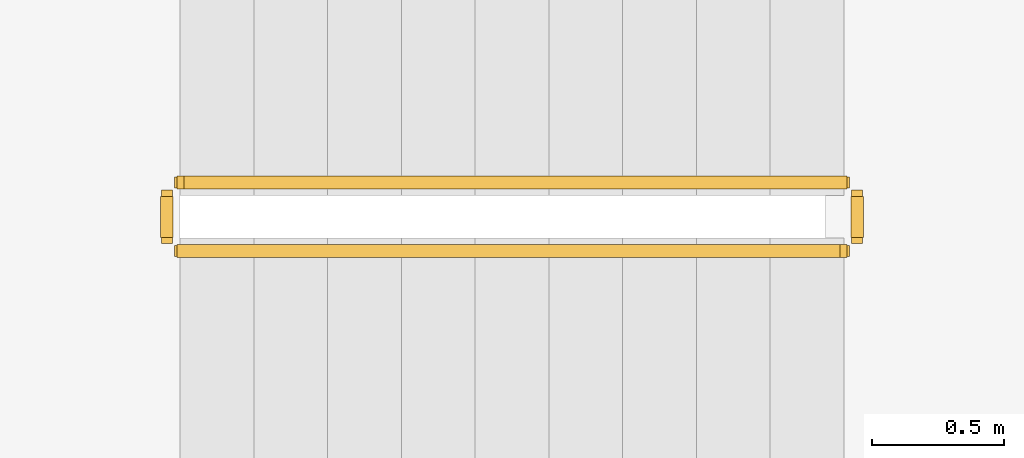
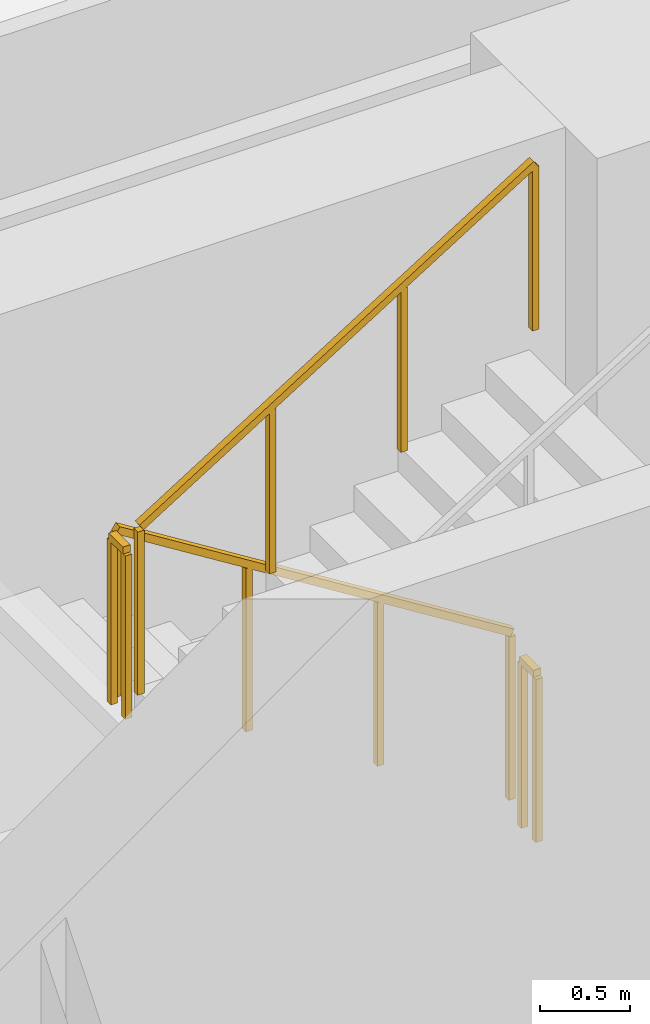
# One storey, part 13 of 15: 4 railings.
"""IFC4 building model written with IfcOpenShell, lengths in metres."""

import ifcopenshell
import ifcopenshell.guid

model = None  # the IFC model being written
_history = None  # IfcOwnerHistory: only IFC2X3 demands one
_inside = {}  # id of a spatial element -> (the spatial element, [elements in it])
_under = {}  # id of a project, library or spatial element -> (it, [spatial elements below it])
_declared = {}  # id of a project -> (the project, [libraries it declares])
_typed = {}  # id of a type object -> (the type object, [elements of that type])
_made_of = {}  # id of a material, layer set ... -> (it, [elements and type objects made of it])


def new_model(schema):
    """Start an empty IFC model of exactly this schema.

    Asked for "IFC4X3", IfcOpenShell would pick the latest addendum, in which some entities
    have other attributes; the version numbers below select the first issue.
    IFC2X3 requires an IfcOwnerHistory on every rooted entity: one is made here for all.
    """
    global model, _history
    if schema == "IFC4X3":
        model = ifcopenshell.file(schema_version=(4, 3, 0, 0))
    else:
        model = ifcopenshell.file(schema=schema)
    _inside.clear()
    _under.clear()
    _declared.clear()
    _typed.clear()
    _made_of.clear()
    _history = None
    if model.schema == "IFC2X3":
        org = make("IfcOrganization", Name="unknown")
        user = make(
            "IfcPersonAndOrganization",
            ThePerson=make("IfcPerson", FamilyName="unknown"),
            TheOrganization=org,
        )
        app = make(
            "IfcApplication",
            ApplicationDeveloper=org,
            Version="unknown",
            ApplicationFullName="unknown",
            ApplicationIdentifier="unknown",
        )
        _history = make(
            "IfcOwnerHistory",
            OwningUser=user,
            OwningApplication=app,
            ChangeAction="ADDED",
            CreationDate=0,
        )
    return model


def make(cls, **values):
    """One entity of the class cls with the attributes given. An attribute that is None is left unset."""
    return model.create_entity(
        cls, **{name: value for name, value in values.items() if value is not None}
    )


def rooted(cls, **values):
    """An entity with a GlobalId (a new one), such as an element, a storey or a relation."""
    return make(cls, GlobalId=ifcopenshell.guid.new(), OwnerHistory=_history, **values)


def si_unit(unit_type, name, prefix=None):
    """IfcSIUnit, for example si_unit("LENGTHUNIT", "METRE", prefix="MILLI")."""
    return make("IfcSIUnit", UnitType=unit_type, Prefix=prefix, Name=name)


def assignment(units):
    """IfcUnitAssignment: the units of a project."""
    return None if units is None else make("IfcUnitAssignment", Units=units)


def point(xyz):
    """IfcCartesianPoint."""
    return None if xyz is None else make("IfcCartesianPoint", Coordinates=xyz)


def direction(xyz):
    """IfcDirection."""
    return None if xyz is None else make("IfcDirection", DirectionRatios=xyz)


def frame(location, z_axis=None, x_axis=None):
    """IfcAxis2Placement3D, a coordinate frame: its origin and axes. An axis left out is left unset."""
    return make(
        "IfcAxis2Placement3D",
        Location=point(location),
        Axis=direction(z_axis),
        RefDirection=direction(x_axis),
    )


def frame_2d(location, x_axis=None):
    """IfcAxis2Placement2D, a coordinate frame in the plane: its origin and x axis."""
    return make(
        "IfcAxis2Placement2D", Location=point(location), RefDirection=direction(x_axis)
    )


def origin():
    """The frame at (0, 0, 0) with its axes left unset."""
    return frame((0.0, 0.0, 0.0))


def origin_2d():
    """The frame at (0, 0) in the plane with its x axis left unset."""
    return frame_2d((0.0, 0.0))


def place(relative_to, where):
    """IfcLocalPlacement: puts the frame where relative to a parent placement (None: the world)."""
    return make(
        "IfcLocalPlacement", PlacementRelTo=relative_to, RelativePlacement=where
    )


def context(
    kind, dimensions, precision=None, world=None, true_north=None, identifier=None
):
    """IfcGeometricRepresentationContext, for example the 3D "Model" context."""
    return make(
        "IfcGeometricRepresentationContext",
        ContextIdentifier=identifier,
        ContextType=kind,
        CoordinateSpaceDimension=dimensions,
        Precision=precision,
        WorldCoordinateSystem=world,
        TrueNorth=true_north,
    )


def subcontext(parent, identifier, kind, view, scale=None):
    """IfcGeometricRepresentationSubContext, for example "Body" below "Model"."""
    return make(
        "IfcGeometricRepresentationSubContext",
        ContextIdentifier=identifier,
        ContextType=kind,
        ParentContext=parent,
        TargetScale=scale,
        TargetView=view,
    )


def project(units=None, contexts=None):
    """IfcProject with its units and contexts."""
    return rooted(
        "IfcProject",
        Name="project",
        RepresentationContexts=contexts,
        UnitsInContext=assignment(units),
    )


def spatial(cls, under=None, at=None, **own):
    """A site, building, storey or space (cls), placed at a placement, below another one or the project."""
    s = rooted(cls, ObjectPlacement=at, **own)
    if under is not None:
        _under.setdefault(under.id(), (under, []))[1].append(s)
    return s


def profile(cls, at=None, kind="AREA", **sizes):
    """A parametric profile (cls). Its sizes go by their IFC names, for example OverallWidth=200.0."""
    return make(cls, ProfileType=kind, Position=at, **sizes)


def rectangle(**sizes):
    """IfcRectangleProfileDef."""
    return profile("IfcRectangleProfileDef", **sizes)


def extrude(swept, where, along, depth):
    """IfcExtrudedAreaSolid: the profile swept, set in the frame where, extruded along a direction by depth."""
    return make(
        "IfcExtrudedAreaSolid",
        SweptArea=swept,
        Position=where,
        ExtrudedDirection=direction(along),
        Depth=depth,
    )


def shape(context_of_items, identifier, shape_type, items):
    """IfcShapeRepresentation: the items that make up one representation, for example the "Body"."""
    return make(
        "IfcShapeRepresentation",
        ContextOfItems=context_of_items,
        RepresentationIdentifier=identifier,
        RepresentationType=shape_type,
        Items=items,
    )


def material(Name=None, Category=None):
    """IfcMaterial."""
    return make("IfcMaterial", Name=Name, Category=Category)


def made_of(thing, what):
    """Note that an element or type object is made of a material, layer set ...; save() writes the relation."""
    if what is not None:
        _made_of.setdefault(what.id(), (what, []))[1].append(thing)
    return thing


def type_object(cls, material=None, **own):
    """A type object (cls), such as IfcWallType, which elements share."""
    return made_of(rooted(cls, **own), material)


def element(
    cls,
    number,
    at=None,
    inside=None,
    cuts=None,
    type_object=None,
    material=None,
    context=None,
    identifier="Body",
    shape_type=None,
    held_by="IfcProductDefinitionShape",
    body=None,
    shapes=None,
    **own,
):
    """One element of the class cls, such as IfcWall. Its Tag is "e" and its number.

    at: its placement. inside: the storey or other place that contains it. cuts: it is an
    opening in that element (IfcRelVoidsElement). A single representation is given by context,
    identifier, shape_type and body (its items); several are given by shapes. held_by: the class
    of the entity that holds the representations. save() writes the other relations.
    """
    e = rooted(cls, Tag="e%d" % number, ObjectPlacement=at, **own)
    if body is not None:
        shapes = [shape(context, identifier, shape_type, body)]
    if shapes is not None:
        e.Representation = make(held_by, Representations=shapes)
    if inside is not None:
        _inside.setdefault(inside.id(), (inside, []))[1].append(e)
    if cuts is not None:
        rooted(
            "IfcRelVoidsElement", RelatingBuildingElement=cuts, RelatedOpeningElement=e
        )
    if type_object is not None:
        _typed.setdefault(type_object.id(), (type_object, []))[1].append(e)
    return made_of(e, material)


def aggregate(whole, parts):
    """IfcRelAggregates: a whole, such as a stair, and the parts it consists of."""
    return rooted("IfcRelAggregates", RelatingObject=whole, RelatedObjects=parts)


def save(model, path):
    """Write the relations noted so far, then the file.

    IfcRelAggregates (storeys below a building ...), IfcRelContainedInSpatialStructure (elements
    in a storey), IfcRelDefinesByType, IfcRelAssociatesMaterial and IfcRelDeclares: one each for
    every whole, place, type object, material and project.
    """
    for whole, parts in _under.values():
        aggregate(whole, parts)
    for where, things in _inside.values():
        rooted(
            "IfcRelContainedInSpatialStructure",
            RelatedElements=things,
            RelatingStructure=where,
        )
    for kind, things in _typed.values():
        rooted("IfcRelDefinesByType", RelatedObjects=things, RelatingType=kind)
    for what, things in _made_of.values():
        rooted("IfcRelAssociatesMaterial", RelatedObjects=things, RelatingMaterial=what)
    for by, libraries in _declared.values():
        rooted("IfcRelDeclares", RelatingContext=by, RelatedDefinitions=libraries)
    model.write(path)


model = new_model("IFC4")

# Units and contexts
model_context = context("Model", 3, precision=1e-05, world=origin(), true_north=direction((0.0, 1.0)))
body_context = subcontext(model_context, "Body", "Model", "MODEL_VIEW")
ifc_project = project(units=[si_unit("LENGTHUNIT", "METRE"), si_unit("AREAUNIT", "SQUARE_METRE"), si_unit("VOLUMEUNIT", "CUBIC_METRE"), si_unit("PLANEANGLEUNIT", "RADIAN"), si_unit("MASSUNIT", "GRAM", prefix="KILO")], contexts=[model_context])

# Site, building, storey
site_placement = place(None, origin())
site = spatial("IfcSite", under=ifc_project, at=site_placement, CompositionType="ELEMENT")
building_placement = place(site_placement, origin())
building = spatial("IfcBuilding", under=site, at=building_placement, Name="Zarnavel Station Tower", CompositionType="ELEMENT")
storey_placement = place(building_placement, frame((0.0, 0.0, 67.5)))
storey = spatial("IfcBuildingStorey", under=building, at=storey_placement, Name="L18", CompositionType="ELEMENT", Elevation=67.5)

# Railings
ifc_material = material(Name="Painted Steel S355J2 Balustrade", Category="steel")
railing_type = type_object("IfcRailingType", Name="GR_INT_1150", PredefinedType="GUARDRAIL", material=ifc_material)
railing_1_placement = place(storey_placement, frame((19.47998046875, 35.3701171875, 0.175048828125)))
element("IfcRailing", 1, at=railing_1_placement, inside=storey, type_object=railing_type, Name="L18 ST1 stair guard 1", PredefinedType="GUARDRAIL", context=body_context, shape_type="SweptSolid", body=[
    extrude(rectangle(XDim=0.048095703125, YDim=0.048095703125, at=origin_2d()), frame((-0.001708984375, 0.0, 1.126953125), z_axis=(-0.848007534815, 0.0, 0.529984170421), x_axis=(0.0, -1.0, 0.0)), (0.0, 0.0, 1.0), 2.9677734375),
    extrude(rectangle(XDim=0.0419921875, YDim=0.0419921875, at=origin_2d()), origin(), (0.0, 0.0, 1.0), 1.101806640625),
    extrude(rectangle(XDim=0.0419921875, YDim=0.0419921875, at=origin_2d()), frame((-0.840087890625, 0.0, 0.52490234375)), (0.0, 0.0, 1.0), 1.101806640625),
    extrude(rectangle(XDim=0.0419921875, YDim=0.0419921875, at=origin_2d()), frame((-1.679931640625, 0.0, 1.050048828125)), (0.0, 0.0, 1.0), 1.101806640625),
    extrude(rectangle(XDim=0.0419921875, YDim=0.0419921875, at=origin_2d()), frame((-2.52001953125, 0.0, 1.574951171875)), (0.0, 0.0, 1.0), 1.101806640625),
])
railing_2_placement = place(storey_placement, frame((16.909912109375, 35.320068359375, 1.75)))
element("IfcRailing", 2, at=railing_2_placement, inside=storey, type_object=railing_type, Name="L18 ST1 stair guard 2", PredefinedType="GUARDRAIL", context=body_context, shape_type="SweptSolid", body=[
    extrude(rectangle(XDim=0.048095703125, YDim=0.048095703125, at=origin_2d()), frame((0.0, -0.001953125, 1.1259765625), z_axis=(0.0, -1.0, 0.0), x_axis=(1.0, 0.0, 0.0)), (0.0, 0.0, 1.0), 0.15625),
    extrude(rectangle(XDim=0.0419921875, YDim=0.0419921875, at=origin_2d()), origin(), (0.0, 0.0, 1.0), 1.101806640625),
    extrude(rectangle(XDim=0.0419921875, YDim=0.0419921875, at=origin_2d()), frame((0.0, -0.16015625, 0.0)), (0.0, 0.0, 1.0), 1.101806640625),
])
railing_3_placement = place(storey_placement, frame((16.9599609375, 35.110107421875, 1.925048828125)))
element("IfcRailing", 3, at=railing_3_placement, inside=storey, type_object=railing_type, Name="L18 ST1 stair guard 3", PredefinedType="GUARDRAIL", context=body_context, shape_type="SweptSolid", body=[
    extrude(rectangle(XDim=0.048095703125, YDim=0.048095703125, at=origin_2d()), frame((0.001708984375, 0.0, 1.126953125), z_axis=(0.848007534815, 0.0, 0.529984170421), x_axis=(0.0, 1.0, 0.0)), (0.0, 0.0, 1.0), 2.9677734375),
    extrude(rectangle(XDim=0.0419921875, YDim=0.0419921875, at=origin_2d()), origin(), (0.0, 0.0, 1.0), 1.101806640625),
    extrude(rectangle(XDim=0.0419921875, YDim=0.0419921875, at=origin_2d()), frame((0.840087890625, 0.0, 0.52490234375)), (0.0, 0.0, 1.0), 1.101806640625),
    extrude(rectangle(XDim=0.0419921875, YDim=0.0419921875, at=origin_2d()), frame((1.679931640625, 0.0, 1.050048828125)), (0.0, 0.0, 1.0), 1.101806640625),
    extrude(rectangle(XDim=0.0419921875, YDim=0.0419921875, at=origin_2d()), frame((2.52001953125, 0.0, 1.574951171875)), (0.0, 0.0, 1.0), 1.101806640625),
])
railing_4_placement = place(storey_placement, frame((19.530029296875, 35.320068359375, 0.0)))
element("IfcRailing", 4, at=railing_4_placement, inside=storey, type_object=railing_type, Name="L18 ST1 stair guard 4", PredefinedType="GUARDRAIL", context=body_context, shape_type="SweptSolid", body=[
    extrude(rectangle(XDim=0.048095703125, YDim=0.048095703125, at=origin_2d()), frame((0.0, -0.001953125, 1.1259765625), z_axis=(0.0, -1.0, 0.0), x_axis=(1.0, 0.0, 0.0)), (0.0, 0.0, 1.0), 0.15625),
    extrude(rectangle(XDim=0.0419921875, YDim=0.0419921875, at=origin_2d()), origin(), (0.0, 0.0, 1.0), 1.101806640625),
    extrude(rectangle(XDim=0.0419921875, YDim=0.0419921875, at=origin_2d()), frame((0.0, -0.16015625, 0.0)), (0.0, 0.0, 1.0), 1.101806640625),
])

save(model, "model.ifc")
